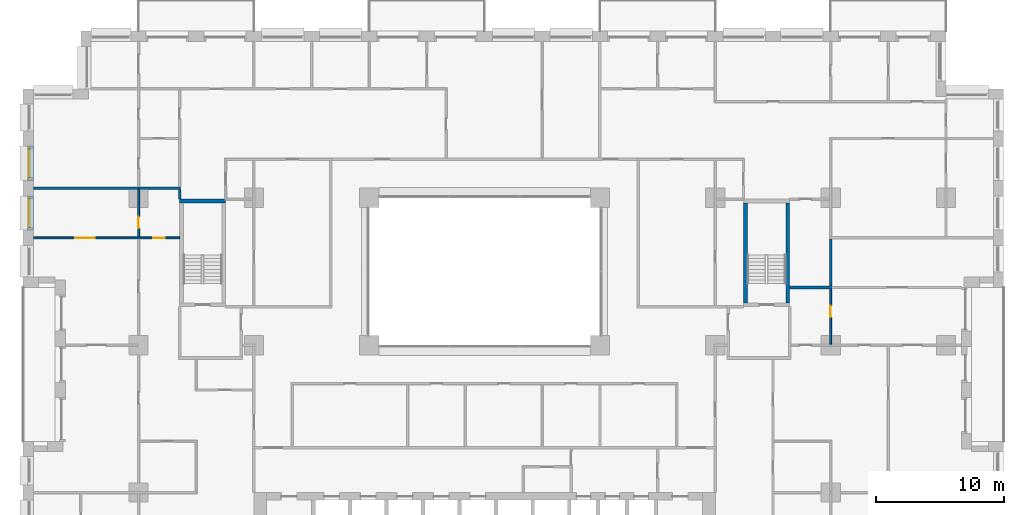
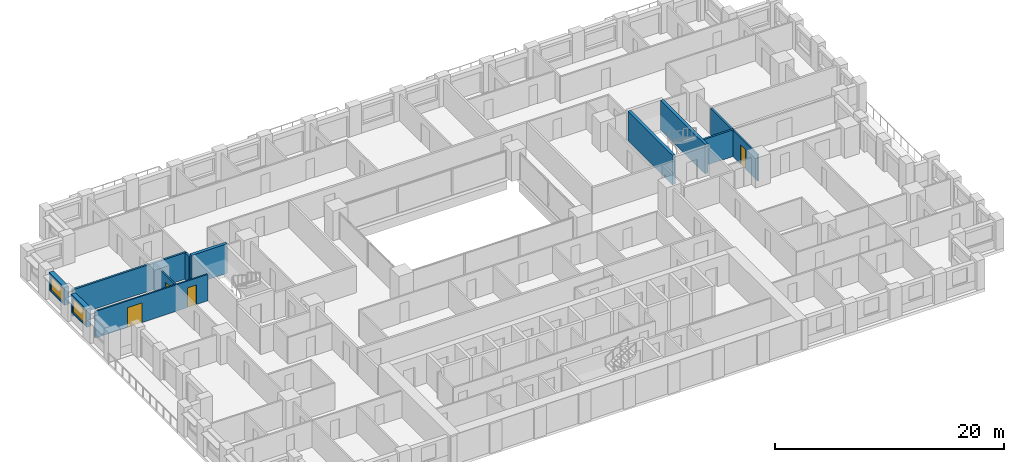
# One storey, part 13 of 21: 12 walls, 4 doors, 2 windows, 6 openings.
"""IFC4 building model written with IfcOpenShell, lengths in metres."""

from ifc_helpers import new_model, si_unit, direction, frame, frame_2d, origin, place, context, subcontext, project, spatial, rectangle, extrude, material, layer, layer_set, type_object, element, fill, save


model = new_model("IFC4")

# Units and contexts
model_context = context("Model", 3, precision=1e-05, world=origin(), true_north=direction((0.0, 1.0)))
body_context = subcontext(model_context, "Body", "Model", "MODEL_VIEW")
ifc_project = project(units=[si_unit("LENGTHUNIT", "METRE"), si_unit("AREAUNIT", "SQUARE_METRE"), si_unit("VOLUMEUNIT", "CUBIC_METRE"), si_unit("PLANEANGLEUNIT", "RADIAN"), si_unit("MASSUNIT", "GRAM", prefix="KILO")], contexts=[model_context])

# Site, building, storey
site_placement = place(None, origin())
site = spatial("IfcSite", under=ifc_project, at=site_placement, CompositionType="ELEMENT")
building_placement = place(site_placement, origin())
building = spatial("IfcBuilding", under=site, at=building_placement, Name="Brigalow Station Residences", CompositionType="ELEMENT")
storey_placement = place(building_placement, frame((0.0, 0.0, 51.0)))
storey = spatial("IfcBuildingStorey", under=building, at=storey_placement, Name="L14", CompositionType="ELEMENT", Elevation=51.0)

# Wall, opening, window
ifc_material_1 = material(Name="Clay brick masonry", Category="masonry")
ifc_layer_1 = layer(ifc_material_1, 0.449951171875)
ifc_layer_set_1 = layer_set([ifc_layer_1], Name="BRICK INFILL WALL 450")
wall_type_1 = type_object("IfcWallType", Name="BRICK INFILL WALL 450", PredefinedType="SOLIDWALL", material=ifc_layer_set_1)
wall_1_placement = place(storey_placement, frame((0.574951171875, 39.52490234375, 0.89990234375), z_axis=(0.0, 0.0, 1.0), x_axis=(0.0, -1.0, 0.0)))
wall_1 = element("IfcWall", 1, at=wall_1_placement, inside=storey, type_object=wall_type_1, Name="L14/ewall/W-L14-43", PredefinedType="SOLIDWALL", context=body_context, shape_type="SweptSolid", body=[
    extrude(rectangle(XDim=2.6748046875, YDim=0.449951171875, at=frame_2d((1.33740234375, 0.0))), origin(), (0.0, 0.0, 1.0), 1.93017578125),
])
opening_1_placement = place(wall_1_placement, frame((0.21240234375, 0.0, 0.14990234375)))
opening_1 = element("IfcOpeningElement", 2, at=opening_1_placement, cuts=wall_1, Name="Opening WT-6", PredefinedType="OPENING", context=body_context, shape_type="SweptSolid", body=[
    extrude(rectangle(XDim=2.25, YDim=1.5, at=frame_2d((1.125, 0.75))), frame((0.0, 0.23486328125, 0.0), z_axis=(0.0, -1.0, 0.0), x_axis=(1.0, 0.0, 0.0)), (0.0, 0.0, 1.0), 0.469970703125),
])
ifc_material_2 = material(Name="Anodised aluminium frame with double glazing", Category="aluminium")
window_type = type_object("IfcWindowType", Name="WINDOW 2250x1500", PartitioningType="SINGLE_PANEL", PredefinedType="WINDOW", material=ifc_material_2)
window_1_placement = place(opening_1_placement, origin())
window_1 = element("IfcWindow", 3, at=window_1_placement, inside=storey, type_object=window_type, Name="L14/window/W-L14-43", OverallHeight=1.5, OverallWidth=2.25, PartitioningType="SINGLE_PANEL", PredefinedType="WINDOW", context=body_context, shape_type="SweptSolid", body=[
    extrude(rectangle(XDim=2.25, YDim=1.5, at=frame_2d((1.125, 0.75))), frame((0.0, -0.06494140625, 0.0), z_axis=(0.0, -1.0, 0.0), x_axis=(1.0, 0.0, 0.0)), (0.0, 0.0, 1.0), 0.06005859375),
])
fill(opening_1, window_1)

wall_2_placement = place(storey_placement, frame((0.574951171875, 35.64990234375, 0.89990234375), z_axis=(0.0, 0.0, 1.0), x_axis=(0.0, -1.0, 0.0)))
wall_2 = element("IfcWall", 4, at=wall_2_placement, inside=storey, type_object=wall_type_1, Name="L14/ewall/W-L14-44", PredefinedType="SOLIDWALL", context=body_context, shape_type="SweptSolid", body=[
    extrude(rectangle(XDim=2.6748046875, YDim=0.449951171875, at=frame_2d((1.33740234375, 0.0))), origin(), (0.0, 0.0, 1.0), 1.93017578125),
])
opening_2_placement = place(wall_2_placement, frame((0.21240234375, 0.0, 0.14990234375)))
opening_2 = element("IfcOpeningElement", 5, at=opening_2_placement, cuts=wall_2, Name="Opening WT-6", PredefinedType="OPENING", context=body_context, shape_type="SweptSolid", body=[
    extrude(rectangle(XDim=2.25, YDim=1.5, at=frame_2d((1.125, 0.75))), frame((0.0, 0.23486328125, 0.0), z_axis=(0.0, -1.0, 0.0), x_axis=(1.0, 0.0, 0.0)), (0.0, 0.0, 1.0), 0.469970703125),
])
window_2_placement = place(opening_2_placement, origin())
window_2 = element("IfcWindow", 6, at=window_2_placement, inside=storey, type_object=window_type, Name="L14/window/W-L14-44", OverallHeight=1.5, OverallWidth=2.25, PartitioningType="SINGLE_PANEL", PredefinedType="WINDOW", context=body_context, shape_type="SweptSolid", body=[
    extrude(rectangle(XDim=2.25, YDim=1.5, at=frame_2d((1.125, 0.75))), frame((0.0, -0.06494140625, 0.0), z_axis=(0.0, -1.0, 0.0), x_axis=(1.0, 0.0, 0.0)), (0.0, 0.0, 1.0), 0.06005859375),
])
fill(opening_2, window_2)

# Walls
ifc_material_3 = material(Name="Concrete C80", Category="concrete")
ifc_layer_2 = layer(ifc_material_3, 0.300048828125)
ifc_layer_set_2 = layer_set([ifc_layer_2], Name="CORE SHEAR WALL 300 C80")
wall_type_2 = type_object("IfcWallType", Name="CORE SHEAR WALL 300 C80", PredefinedType="SHEAR", material=ifc_layer_set_2)
wall_3_placement = place(storey_placement, frame((12.199951171875, 35.25, 0.0), z_axis=(0.0, 0.0, 1.0), x_axis=(1.0, 0.0, 0.0)))
element("IfcWall", 7, at=wall_3_placement, inside=storey, type_object=wall_type_2, Name="CORE WALL ST-S1-N L14", PredefinedType="SHEAR", context=body_context, shape_type="SweptSolid", body=[
    extrude(rectangle(XDim=3.60009765625, YDim=0.300048828125, at=frame_2d((1.800048828125, 0.0))), origin(), (0.0, 0.0, 1.0), 3.14990234375),
])
for number, where, z_axis, x_axis, name in (
    (8, (56.35009765625, 27.300048828125, 0.0), (0.0, 0.0, 1.0), (0.0, 1.0, 0.0), "CORE WALL ST-S3-W L14"),
    (9, (59.64990234375, 27.300048828125, 0.0), (0.0, 0.0, 1.0), (0.0, 1.0, 0.0), "CORE WALL ST-S3-E L14"),
):
    element("IfcWall", number, at=place(storey_placement, frame(where, z_axis=z_axis, x_axis=x_axis)), inside=storey, type_object=wall_type_2, Name=name, PredefinedType="SHEAR", context=body_context, shape_type="SweptSolid", body=[
        extrude(rectangle(XDim=7.800048828125, YDim=0.300048828125, at=frame_2d((3.89990234375, 0.0))), origin(), (0.0, 0.0, 1.0), 3.14990234375),
    ])

# Wall, openings, doors
ifc_material_4 = material(Name="Plasterboard on steel stud partition", Category="steel")
ifc_layer_3 = layer(ifc_material_4, 0.14990234375)
ifc_layer_set_3 = layer_set([ifc_layer_3], Name="FLAT PARTITION 150")
wall_type_3 = type_object("IfcWallType", Name="FLAT PARTITION 150", PredefinedType="PARTITIONING", material=ifc_layer_set_3)
wall_4_placement = place(storey_placement, frame((0.800048828125, 32.375, 0.0), z_axis=(0.0, 0.0, 1.0), x_axis=(1.0, 0.0, 0.0)))
wall_4 = element("IfcWall", 10, at=wall_4_placement, inside=storey, type_object=wall_type_3, Name="PW-1D18", PredefinedType="PARTITIONING", context=body_context, shape_type="SweptSolid", body=[
    extrude(rectangle(XDim=11.39990234375, YDim=0.14990234375, at=frame_2d((5.699951171875, 0.0))), origin(), (0.0, 0.0, 1.0), 2.830078125),
])
opening_3_placement = place(wall_4_placement, frame((3.27490234375, 0.0, 0.0)))
opening_3 = element("IfcOpeningElement", 11, at=opening_3_placement, cuts=wall_4, Name="Opening D-1D06", PredefinedType="OPENING", context=body_context, shape_type="SweptSolid", body=[
    extrude(rectangle(XDim=1.5, YDim=2.10009765625, at=frame_2d((0.75, 1.050048828125))), frame((0.0, 0.0849609375, 0.0), z_axis=(0.0, -1.0, 0.0), x_axis=(1.0, 0.0, 0.0)), (0.0, 0.0, 1.0), 0.169921875),
])
opening_4_placement = place(wall_4_placement, frame((9.35009765625, 0.0, 0.0)))
opening_4 = element("IfcOpeningElement", 12, at=opening_4_placement, cuts=wall_4, Name="Opening D-1D12", PredefinedType="OPENING", context=body_context, shape_type="SweptSolid", body=[
    extrude(rectangle(XDim=0.89990234375, YDim=2.10009765625, at=frame_2d((0.449951171875, 1.050048828125))), frame((0.0, 0.0849609375, 0.0), z_axis=(0.0, -1.0, 0.0), x_axis=(1.0, 0.0, 0.0)), (0.0, 0.0, 1.0), 0.169921875),
])
ifc_material_5 = material(Name="Solid-core timber door leaf", Category="wood")
door_type_1 = type_object("IfcDoorType", Name="INTERNAL DOOR 900 x 2100", OperationType="SINGLE_SWING_LEFT", PredefinedType="DOOR", material=ifc_material_5)
door_1_placement = place(opening_4_placement, origin())
door_1 = element("IfcDoor", 13, at=door_1_placement, inside=storey, type_object=door_type_1, Name="D-1D12", OperationType="SINGLE_SWING_LEFT", OverallHeight=2.10009765625, OverallWidth=0.89990234375, PredefinedType="DOOR", context=body_context, shape_type="SweptSolid", body=[
    extrude(rectangle(XDim=0.89990234375, YDim=2.10009765625, at=frame_2d((0.449951171875, 1.050048828125))), frame((0.0, 0.02490234375, 0.0), z_axis=(0.0, -1.0, 0.0), x_axis=(1.0, 0.0, 0.0)), (0.0, 0.0, 1.0), 0.050048828125),
])
fill(opening_4, door_1)
ifc_material_6 = material(Name="Solid-core timber door leaf", Category="wood")
door_type_2 = type_object("IfcDoorType", Name="INTERNAL DOUBLE DOOR 1500 x 2100", OperationType="DOUBLE_DOOR_SINGLE_SWING", PredefinedType="DOOR", material=ifc_material_6)
door_2_placement = place(opening_3_placement, origin())
door_2 = element("IfcDoor", 14, at=door_2_placement, inside=storey, type_object=door_type_2, Name="D-1D06", OperationType="DOUBLE_DOOR_SINGLE_SWING", OverallHeight=2.10009765625, OverallWidth=1.5, PredefinedType="DOOR", context=body_context, shape_type="SweptSolid", body=[
    extrude(rectangle(XDim=1.5, YDim=2.10009765625, at=frame_2d((0.75, 1.050048828125))), frame((0.0, 0.02490234375, 0.0), z_axis=(0.0, -1.0, 0.0), x_axis=(1.0, 0.0, 0.0)), (0.0, 0.0, 1.0), 0.050048828125),
])
fill(opening_3, door_2)

# Wall, opening, door
wall_5_placement = place(storey_placement, frame((9.0, 32.449951171875, 0.0), z_axis=(0.0, 0.0, 1.0), x_axis=(0.0, 1.0, 0.0)))
wall_5 = element("IfcWall", 15, at=wall_5_placement, inside=storey, type_object=wall_type_3, Name="PW-1D49", PredefinedType="PARTITIONING", context=body_context, shape_type="SweptSolid", body=[
    extrude(rectangle(XDim=3.699951171875, YDim=0.14990234375, at=frame_2d((1.85009765625, 0.0))), origin(), (0.0, 0.0, 1.0), 2.830078125),
])
opening_5_placement = place(wall_5_placement, frame((0.662109375, 0.0, 0.0)))
opening_5 = element("IfcOpeningElement", 16, at=opening_5_placement, cuts=wall_5, Name="Opening D-1D11", PredefinedType="OPENING", context=body_context, shape_type="SweptSolid", body=[
    extrude(rectangle(XDim=0.89990234375, YDim=2.10009765625, at=frame_2d((0.449951171875, 1.050048828125))), frame((0.0, 0.0849609375, 0.0), z_axis=(0.0, -1.0, 0.0), x_axis=(1.0, 0.0, 0.0)), (0.0, 0.0, 1.0), 0.169921875),
])
door_3_placement = place(opening_5_placement, frame((0.89990234375, 0.0, 0.0), z_axis=(0.0, 0.0, 1.0), x_axis=(-1.0, 0.0, 0.0)))
door_3 = element("IfcDoor", 17, at=door_3_placement, inside=storey, type_object=door_type_1, Name="D-1D11", OperationType="SINGLE_SWING_RIGHT", OverallHeight=2.10009765625, OverallWidth=0.89990234375, PredefinedType="DOOR", context=body_context, shape_type="SweptSolid", body=[
    extrude(rectangle(XDim=0.89990234375, YDim=2.10009765625, at=frame_2d((0.449951171875, 1.050048828125))), frame((0.0, 0.02490234375, 0.0), z_axis=(0.0, -1.0, 0.0), x_axis=(1.0, 0.0, 0.0)), (0.0, 0.0, 1.0), 0.050048828125),
])
fill(opening_5, door_3)

wall_6_placement = place(storey_placement, frame((63.0, 24.074951171875, 0.0), z_axis=(0.0, 0.0, 1.0), x_axis=(0.0, 1.0, 0.0)))
wall_6 = element("IfcWall", 18, at=wall_6_placement, inside=storey, type_object=wall_type_3, Name="PW-1D70", PredefinedType="PARTITIONING", context=body_context, shape_type="SweptSolid", body=[
    extrude(rectangle(XDim=4.35009765625, YDim=0.14990234375, at=frame_2d((2.175048828125, 0.0))), origin(), (0.0, 0.0, 1.0), 2.830078125),
])
opening_6_placement = place(wall_6_placement, frame((2.10009765625, 0.0, 0.0)))
opening_6 = element("IfcOpeningElement", 19, at=opening_6_placement, cuts=wall_6, Name="Opening D-1D56", PredefinedType="OPENING", context=body_context, shape_type="SweptSolid", body=[
    extrude(rectangle(XDim=0.89990234375, YDim=2.10009765625, at=frame_2d((0.449951171875, 1.050048828125))), frame((0.0, 0.0849609375, 0.0), z_axis=(0.0, -1.0, 0.0), x_axis=(1.0, 0.0, 0.0)), (0.0, 0.0, 1.0), 0.169921875),
])
door_4_placement = place(opening_6_placement, origin())
door_4 = element("IfcDoor", 20, at=door_4_placement, inside=storey, type_object=door_type_1, Name="D-1D56", OperationType="SINGLE_SWING_RIGHT", OverallHeight=2.10009765625, OverallWidth=0.89990234375, PredefinedType="DOOR", context=body_context, shape_type="SweptSolid", body=[
    extrude(rectangle(XDim=0.89990234375, YDim=2.10009765625, at=frame_2d((0.449951171875, 1.050048828125))), frame((0.0, 0.02490234375, 0.0), z_axis=(0.0, -1.0, 0.0), x_axis=(1.0, 0.0, 0.0)), (0.0, 0.0, 1.0), 0.050048828125),
])
fill(opening_6, door_4)

# Walls
ifc_material_7 = material(Name="Plasterboard on steel stud partition", Category="steel")
ifc_layer_4 = layer(ifc_material_7, 0.199951171875)
ifc_layer_set_4 = layer_set([ifc_layer_4], Name="PARTY AND CORRIDOR WALL 200")
wall_type_4 = type_object("IfcWallType", Name="PARTY AND CORRIDOR WALL 200", PredefinedType="PARTITIONING", material=ifc_layer_set_4)
wall_7_placement = place(storey_placement, frame((0.800048828125, 36.25, 0.0), z_axis=(0.0, 0.0, 1.0), x_axis=(1.0, 0.0, 0.0)))
element("IfcWall", 21, at=wall_7_placement, inside=storey, type_object=wall_type_4, Name="PW-1D20", PredefinedType="PARTITIONING", context=body_context, shape_type="SweptSolid", body=[
    extrude(rectangle(XDim=11.474853515625, YDim=0.199951171875, at=frame_2d((5.7373046875, 0.0))), origin(), (0.0, 0.0, 1.0), 2.830078125),
])
wall_8_placement = place(storey_placement, frame((59.800048828125, 28.5, 0.0), z_axis=(0.0, 0.0, 1.0), x_axis=(1.0, 0.0, 0.0)))
element("IfcWall", 22, at=wall_8_placement, inside=storey, type_object=wall_type_4, Name="PW-1D32", PredefinedType="PARTITIONING", context=body_context, shape_type="SweptSolid", body=[
    extrude(rectangle(XDim=3.27490234375, YDim=0.199951171875, at=frame_2d((1.637451171875, 0.0))), origin(), (0.0, 0.0, 1.0), 2.830078125),
])
wall_9_placement = place(storey_placement, frame((12.199951171875, 35.39990234375, 0.0), z_axis=(0.0, 0.0, 1.0), x_axis=(0.0, 1.0, 0.0)))
element("IfcWall", 23, at=wall_9_placement, inside=storey, type_object=wall_type_4, Name="PW-1D57", PredefinedType="PARTITIONING", context=body_context, shape_type="SweptSolid", body=[
    extrude(rectangle(XDim=0.75, YDim=0.199951171875, at=frame_2d((0.375, 0.0))), origin(), (0.0, 0.0, 1.0), 2.830078125),
])
wall_10_placement = place(storey_placement, frame((63.0, 28.574951171875, 0.0), z_axis=(0.0, 0.0, 1.0), x_axis=(0.0, 1.0, 0.0)))
element("IfcWall", 24, at=wall_10_placement, inside=storey, type_object=wall_type_4, Name="PW-1D73", PredefinedType="PARTITIONING", context=body_context, shape_type="SweptSolid", body=[
    extrude(rectangle(XDim=3.699951171875, YDim=0.199951171875, at=frame_2d((1.85009765625, 0.0))), origin(), (0.0, 0.0, 1.0), 2.830078125),
])

save(model, "model.ifc")
